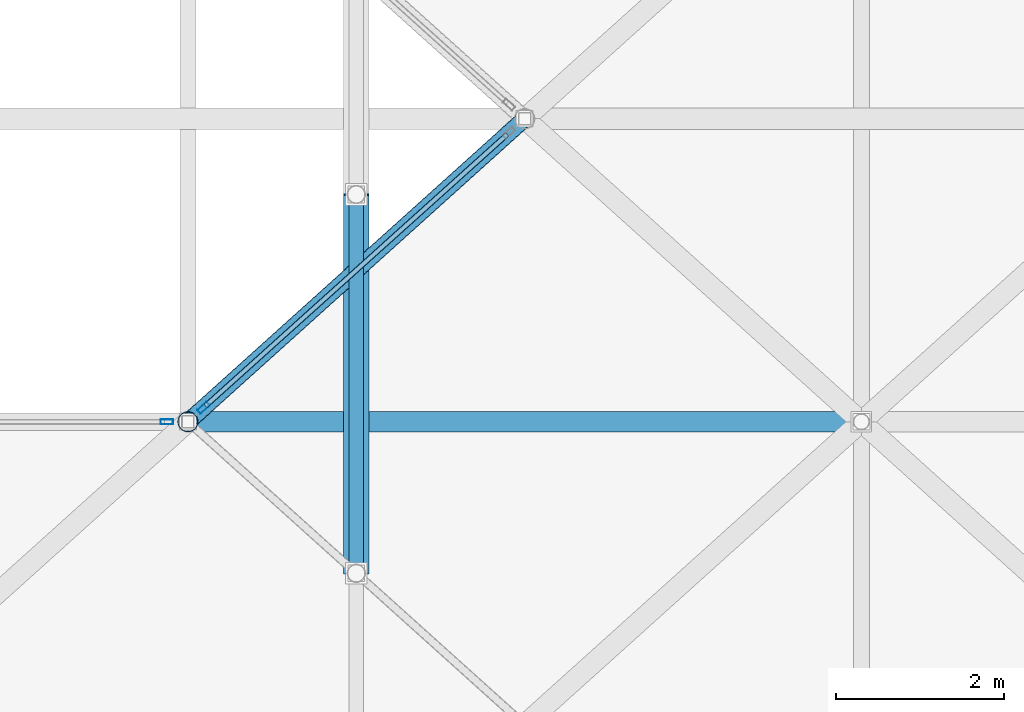
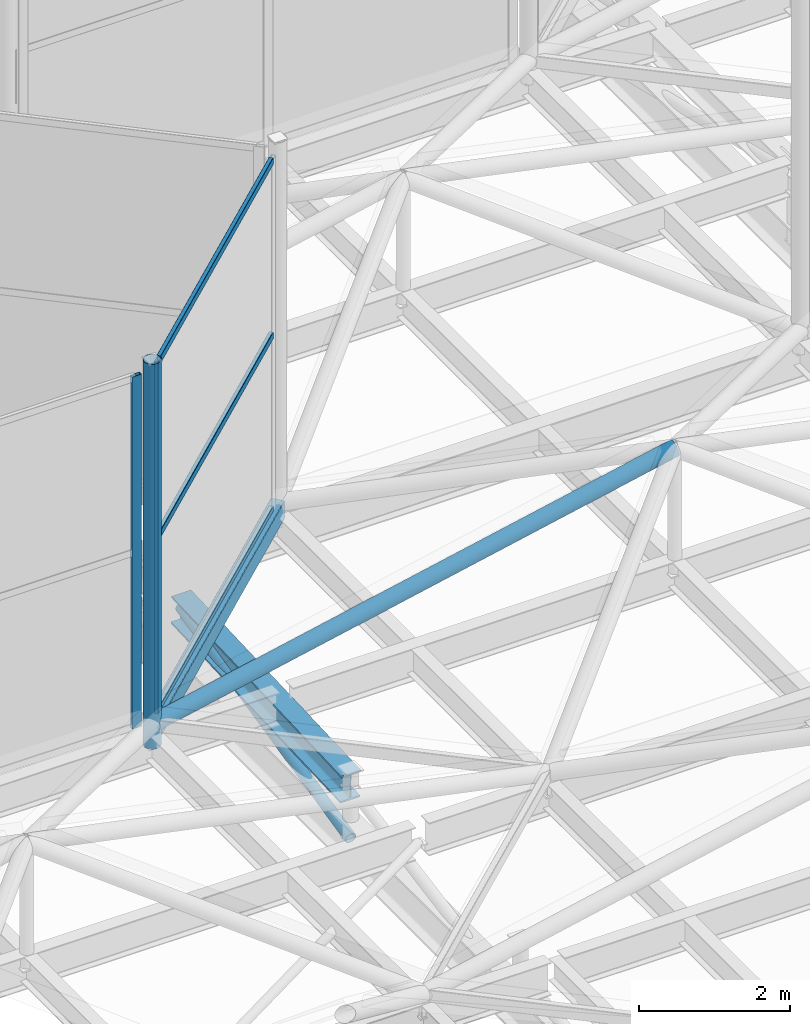
# One storey, part 26 of 239: 8 members, 2 beams, 2 elements without a shape of their own.
"""IFC4 building model written with IfcOpenShell, lengths in metres."""

from ifc_helpers import new_model, si_unit, direction, frame, origin, origin_2d, place, context, subcontext, project, spatial, hollow_rectangle, hollow_circle, i_section, extrude, material, layer, layer_set, material_profile, profile_set, type_object, element, aggregate, save


model = new_model("IFC4")

# Units and contexts
model_context = context("Model", 3, precision=1e-05, world=origin(), true_north=direction((0.0, 1.0)))
body_context = subcontext(model_context, "Body", "Model", "MODEL_VIEW")
ifc_project = project(units=[si_unit("LENGTHUNIT", "METRE"), si_unit("AREAUNIT", "SQUARE_METRE"), si_unit("VOLUMEUNIT", "CUBIC_METRE"), si_unit("PLANEANGLEUNIT", "RADIAN"), si_unit("MASSUNIT", "GRAM", prefix="KILO")], contexts=[model_context])

# Site, building, storey
site_placement = place(None, origin())
site = spatial("IfcSite", under=ifc_project, at=site_placement, CompositionType="ELEMENT")
building_placement = place(site_placement, origin())
building = spatial("IfcBuilding", under=site, at=building_placement, Name="Dunvalen Ferry Terminal", CompositionType="ELEMENT")
storey_placement = place(building_placement, frame((0.0, 0.0, 9.840087890625)))
storey = spatial("IfcBuildingStorey", under=building, at=storey_placement, Name="L02", CompositionType="ELEMENT", Elevation=9.840087890625)

# Curtain wall, member
ifc_material_1 = material(Name="Anodised marine aluminium and solar-control glazing", Category="aluminium")
ifc_layer_1 = layer(ifc_material_1, 0.179931640625, Name="Anodised marine aluminium and solar-control glazing")
ifc_layer_set_1 = layer_set([ifc_layer_1], Name="Anodised marine aluminium and solar-control glazing")
curtain_wall_type_1 = type_object("IfcCurtainWallType", Name="ENV-CW-SYS-06", PredefinedType="NOTDEFINED", material=ifc_layer_set_1)
curtain_wall_1_placement = place(storey_placement, origin())
curtain_wall_1 = element("IfcCurtainWall", 1, at=curtain_wall_1_placement, inside=storey, type_object=curtain_wall_type_1, Name="L02 Curtain Wall CW-HEX-25-SK-2", PredefinedType="NOTDEFINED")
ifc_material_2 = material(Name="Anodised marine aluminium EN AW-6063 T6", Category="aluminium")
ifc_material_profile_1 = material_profile(ifc_material_2, hollow_rectangle(XDim=0.06005859375, YDim=0.14990234375, WallThickness=0.00341796875, InnerFilletRadius=0.00341796875, OuterFilletRadius=0.007080078125, at=origin_2d()), Name="Anodised marine aluminium EN AW-6063 T6")
ifc_profile_set_1 = profile_set([ifc_material_profile_1], Name="Anodised marine aluminium EN AW-6063 T6")
member_type_1 = type_object("IfcMemberType", Name="ENV-CW-MUL-3", PredefinedType="MULLION", material=ifc_profile_set_1)
member_1_placement = place(storey_placement, frame((57.75, 61.199951171875, 1.139892578125), z_axis=(0.0, 0.0, 1.0), x_axis=(0.0, 1.0, 0.0)))
member_1 = element("IfcMember", 2, at=member_1_placement, type_object=member_type_1, Name="CW-06 mullion 3", PredefinedType="MULLION", context=body_context, shape_type="SweptSolid", body=[
    extrude(hollow_rectangle(XDim=0.06005859375, YDim=0.14990234375, WallThickness=0.00341796875, InnerFilletRadius=0.00341796875, OuterFilletRadius=0.007080078125, at=origin_2d()), origin(), (0.0, 0.0, 1.0), 5.699951171875),
])
aggregate(curtain_wall_1, [member_1])

# Curtain wall, members
ifc_layer_2 = layer(ifc_material_1, 0.179931640625, Name="Anodised marine aluminium and solar-control glazing")
ifc_layer_set_2 = layer_set([ifc_layer_2], Name="Anodised marine aluminium and solar-control glazing")
curtain_wall_type_2 = type_object("IfcCurtainWallType", Name="ENV-CW-SYS-05", PredefinedType="NOTDEFINED", material=ifc_layer_set_2)
curtain_wall_2_placement = place(storey_placement, origin())
curtain_wall_2 = element("IfcCurtainWall", 3, at=curtain_wall_2_placement, inside=storey, type_object=curtain_wall_type_2, Name="L02 Curtain Wall CW-HEX-25-SK-3", PredefinedType="NOTDEFINED")
member_2_placement = place(storey_placement, frame((58.185791015625, 61.3671875, 1.139892578125), z_axis=(0.0, 0.0, 1.0), x_axis=(-0.668953550894, 0.74330420875, 0.0)))
member_2 = element("IfcMember", 4, at=member_2_placement, type_object=member_type_1, Name="CW-05 mullion 1", PredefinedType="MULLION", context=body_context, shape_type="SweptSolid", body=[
    extrude(hollow_rectangle(XDim=0.06005859375, YDim=0.14990234375, WallThickness=0.00341796875, InnerFilletRadius=0.00341796875, OuterFilletRadius=0.007080078125, at=origin_2d()), origin(), (0.0, 0.0, 1.0), 5.699951171875),
])
ifc_material_profile_2 = material_profile(ifc_material_2, hollow_rectangle(XDim=0.06005859375, YDim=0.114990234375, WallThickness=0.0029296875, InnerFilletRadius=0.0029296875, OuterFilletRadius=0.006103515625, at=origin_2d()), Name="Anodised marine aluminium EN AW-6063 T6")
ifc_profile_set_2 = profile_set([ifc_material_profile_2], Name="Anodised marine aluminium EN AW-6063 T6")
member_type_2 = type_object("IfcMemberType", Name="ENV-CW-TRN-3", PredefinedType="USERDEFINED", material=ifc_profile_set_2)
member_3_placement = place(storey_placement, frame((58.2080078125, 61.387451171875, 1.169921875), z_axis=(0.743344500928, 0.668908777742, 0.0), x_axis=(-0.668908777742, 0.743344500928, 0.0)))
member_3 = element("IfcMember", 5, at=member_3_placement, type_object=member_type_2, Name="CW-05 transom 1.1", ObjectType="TRANSOM", PredefinedType="USERDEFINED", context=body_context, shape_type="SweptSolid", body=[
    extrude(hollow_rectangle(XDim=0.06005859375, YDim=0.114990234375, WallThickness=0.0029296875, InnerFilletRadius=0.0029296875, OuterFilletRadius=0.006103515625, at=origin_2d()), origin(), (0.0, 0.0, 1.0), 4.821533203125),
])
member_4_placement = place(storey_placement, frame((58.2080078125, 61.387451171875, 3.989990234375), z_axis=(0.743344500928, 0.668908777742, 0.0), x_axis=(-0.668908777742, 0.743344500928, 0.0)))
member_4 = element("IfcMember", 6, at=member_4_placement, type_object=member_type_2, Name="CW-05 transom 1.2", ObjectType="TRANSOM", PredefinedType="USERDEFINED", context=body_context, shape_type="SweptSolid", body=[
    extrude(hollow_rectangle(XDim=0.06005859375, YDim=0.114990234375, WallThickness=0.0029296875, InnerFilletRadius=0.0029296875, OuterFilletRadius=0.006103515625, at=origin_2d()), origin(), (0.0, 0.0, 1.0), 4.821533203125),
])
member_5_placement = place(storey_placement, frame((58.2080078125, 61.387451171875, 6.809814453125), z_axis=(0.743344500928, 0.668908777742, 0.0), x_axis=(-0.668908777742, 0.743344500928, 0.0)))
member_5 = element("IfcMember", 7, at=member_5_placement, type_object=member_type_2, Name="CW-05 transom 1.3", ObjectType="TRANSOM", PredefinedType="USERDEFINED", context=body_context, shape_type="SweptSolid", body=[
    extrude(hollow_rectangle(XDim=0.06005859375, YDim=0.114990234375, WallThickness=0.0029296875, InnerFilletRadius=0.0029296875, OuterFilletRadius=0.006103515625, at=origin_2d()), origin(), (0.0, 0.0, 1.0), 4.821533203125),
])
aggregate(curtain_wall_2, [member_2, member_3, member_4, member_5])

# Beams
ifc_material_3 = material(Name="Steel S355", Category="steel")
ifc_material_profile_3 = material_profile(ifc_material_3, i_section(OverallWidth=0.300048828125, OverallDepth=0.449951171875, WebThickness=0.013916015625, FlangeThickness=0.02587890625, FilletRadius=0.027099609375, at=origin_2d()), Name="Steel S355")
ifc_profile_set_3 = profile_set([ifc_material_profile_3], Name="Steel S355")
beam_type_1 = type_object("IfcBeamType", Name="STR-BM-HEB450", PredefinedType="BEAM", material=ifc_profile_set_3)
beam_1_placement = place(storey_placement, frame((60.0, 59.39990234375, 0.474853515625), z_axis=(0.0, 0.999166564808, 0.040818816368), x_axis=(-1.0, 0.0, 0.0)))
element("IfcBeam", 8, at=beam_1_placement, inside=storey, type_object=beam_type_1, Name="Departure Hall Tied-Arch Rib 05.3", PredefinedType="BEAM", context=body_context, shape_type="SweptSolid", body=[
    extrude(i_section(OverallWidth=0.300048828125, OverallDepth=0.449951171875, WebThickness=0.013916015625, FlangeThickness=0.02587890625, FilletRadius=0.027099609375, at=origin_2d()), origin(), (0.0, 0.0, 1.0), 4.503662109375),
])
ifc_material_profile_4 = material_profile(ifc_material_3, hollow_rectangle(XDim=0.199951171875, YDim=0.300048828125, WallThickness=0.010009765625, InnerFilletRadius=0.010009765625, OuterFilletRadius=0.02001953125, at=origin_2d()), Name="Steel S355")
ifc_profile_set_4 = profile_set([ifc_material_profile_4], Name="Steel S355")
beam_type_2 = type_object("IfcBeamType", Name="STR-BM-RHS300", PredefinedType="BEAM", material=ifc_profile_set_4)
beam_2_placement = place(storey_placement, frame((58.0, 61.199951171875, 1.0), z_axis=(0.743285123004, 0.668974757313, 0.0), x_axis=(-0.668974757313, 0.743285123004, 0.0)))
element("IfcBeam", 9, at=beam_2_placement, inside=storey, type_object=beam_type_2, Name="HEX-25 Lantern Curb Ring Beam 3", PredefinedType="BEAM", context=body_context, shape_type="SweptSolid", body=[
    extrude(hollow_rectangle(XDim=0.199951171875, YDim=0.300048828125, WallThickness=0.010009765625, InnerFilletRadius=0.010009765625, OuterFilletRadius=0.02001953125, at=origin_2d()), origin(), (0.0, 0.0, 1.0), 5.381591796875),
])

# Members
ifc_material_profile_5 = material_profile(ifc_material_3, hollow_circle(Radius=0.084228515625, WallThickness=0.008056640625, at=origin_2d()), Name="Steel S355")
ifc_profile_set_5 = profile_set([ifc_material_profile_5], Name="Steel S355")
member_type_3 = type_object("IfcMemberType", Name="STR-MB-CHS168", PredefinedType="BRACE", material=ifc_profile_set_5)
member_6_placement = place(storey_placement, frame((60.0, 59.39990234375, -0.360107421875), z_axis=(0.0, 0.975316524259, 0.220811407104), x_axis=(-1.0, 0.0, 0.0)))
element("IfcMember", 10, at=member_6_placement, inside=storey, type_object=member_type_3, Name="Departure Hall Arch Web Diagonal 05.3", PredefinedType="BRACE", context=body_context, shape_type="SweptSolid", body=[
    extrude(hollow_circle(Radius=0.084228515625, WallThickness=0.008056640625, at=origin_2d()), origin(), (0.0, 0.0, 1.0), 4.61376953125),
])
ifc_material_profile_6 = material_profile(ifc_material_3, hollow_circle(Radius=0.122314453125, WallThickness=0.010009765625, at=origin_2d()), Name="Steel S355")
ifc_profile_set_6 = profile_set([ifc_material_profile_6], Name="Steel S355")
member_type_4 = type_object("IfcMemberType", Name="STR-MB-CHS244", PredefinedType="STRUT", material=ifc_profile_set_6)
member_7_placement = place(storey_placement, frame((58.0, 61.199951171875, 0.77001953125), z_axis=(0.0, 0.0, 1.0), x_axis=(1.0, 0.0, 0.0)))
element("IfcMember", 11, at=member_7_placement, inside=storey, type_object=member_type_4, Name="HEX-25 Skylight Lantern Corner Strut 3", PredefinedType="STRUT", context=body_context, shape_type="SweptSolid", body=[
    extrude(hollow_circle(Radius=0.122314453125, WallThickness=0.010009765625, at=origin_2d()), origin(), (0.0, 0.0, 1.0), 6.22998046875),
])
member_8_placement = place(storey_placement, frame((58.0, 61.199951171875, 1.099853515625), z_axis=(0.979020171275, 0.0, 0.203763353518), x_axis=(0.0, 1.0, 0.0)))
element("IfcMember", 12, at=member_8_placement, inside=storey, type_object=member_type_4, Name="HEX-30 Pyramid Hip Rafter 1", PredefinedType="STRUT", context=body_context, shape_type="SweptSolid", body=[
    extrude(hollow_circle(Radius=0.122314453125, WallThickness=0.010009765625, at=origin_2d()), origin(), (0.0, 0.0, 1.0), 8.17138671875),
])

save(model, "model.ifc")
